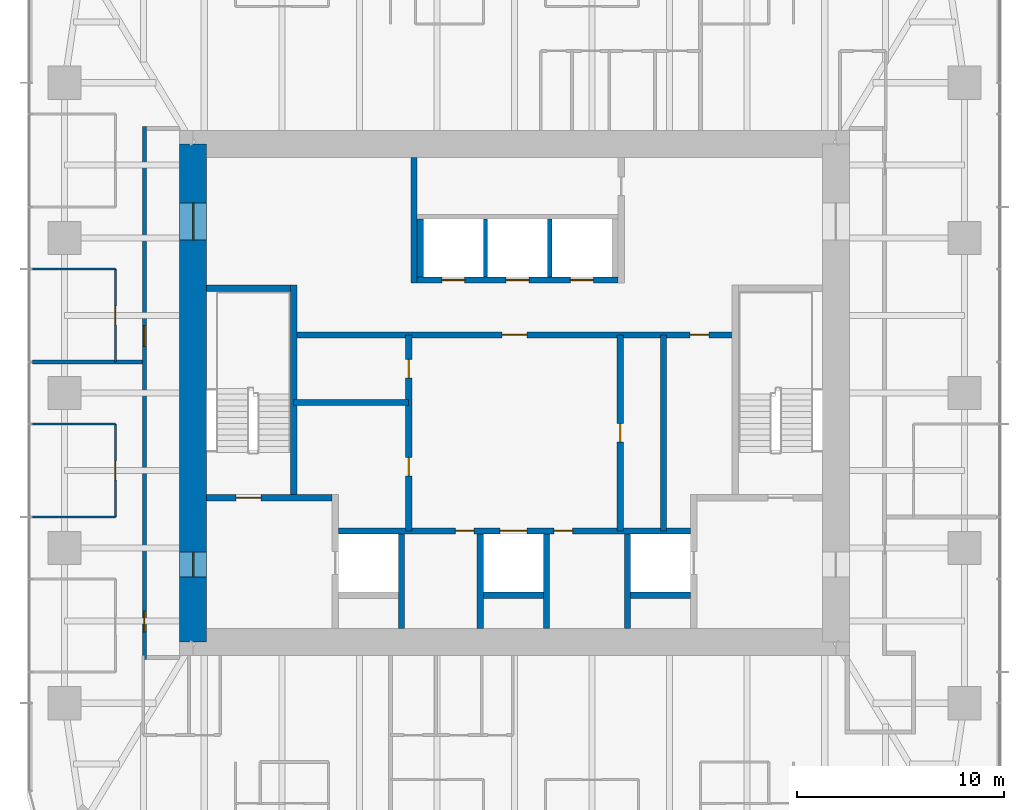
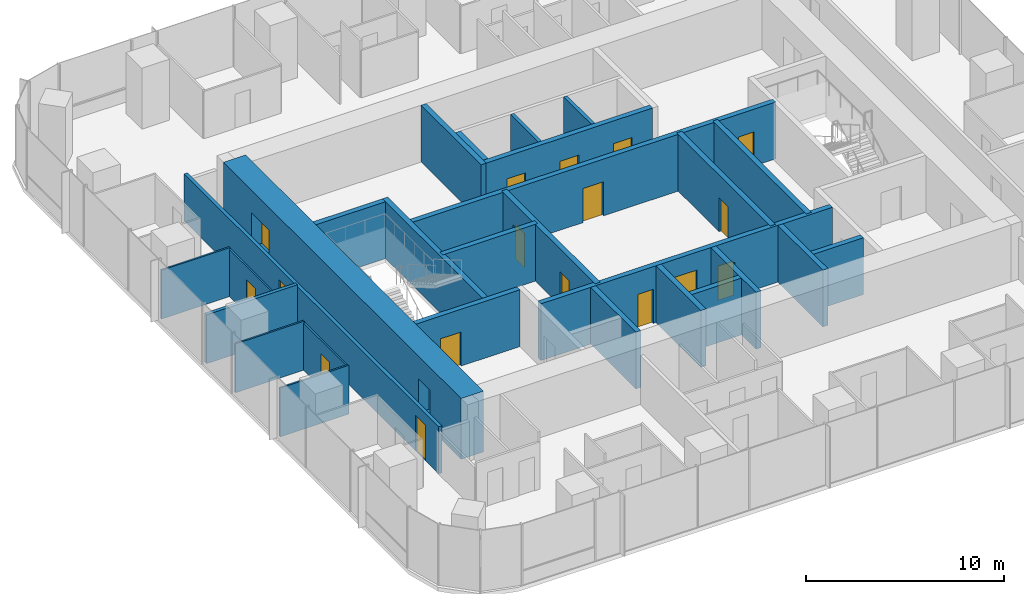
# One storey, part 9 of 12: 28 walls, 18 doors, 18 openings.
"""IFC4 building model written with IfcOpenShell, lengths in metres."""

from ifc_helpers import new_model, si_unit, direction, frame, frame_2d, origin, place, context, subcontext, project, spatial, rectangle, extrude, material, layer, layer_set, type_object, element, fill, save


model = new_model("IFC4")

# Units and contexts
model_context = context("Model", 3, precision=1e-05, world=origin(), true_north=direction((0.0, 1.0)))
body_context = subcontext(model_context, "Body", "Model", "MODEL_VIEW")
ifc_project = project(units=[si_unit("LENGTHUNIT", "METRE"), si_unit("AREAUNIT", "SQUARE_METRE"), si_unit("VOLUMEUNIT", "CUBIC_METRE"), si_unit("PLANEANGLEUNIT", "RADIAN"), si_unit("MASSUNIT", "GRAM", prefix="KILO")], contexts=[model_context])

# Site, building, storey
site_placement = place(None, origin())
site = spatial("IfcSite", under=ifc_project, at=site_placement, CompositionType="ELEMENT")
building_placement = place(site_placement, origin())
building = spatial("IfcBuilding", under=site, at=building_placement, Name="Khuree Lantern Residences", CompositionType="ELEMENT")
storey_placement = place(building_placement, frame((0.0, 0.0, 315.75)))
storey = spatial("IfcBuildingStorey", under=building, at=storey_placement, Name="L79", CompositionType="ELEMENT", Elevation=315.75)

# Wall, openings, doors
ifc_material_1 = material(Name="Dense concrete blockwork", Category="masonry")
ifc_layer_1 = layer(ifc_material_1, 0.300048828125)
ifc_layer_set_1 = layer_set([ifc_layer_1], Name="CORE PARTITION WALL CPW300 EI 120")
wall_type_1 = type_object("IfcWallType", Name="CORE PARTITION WALL CPW300 EI 120", PredefinedType="PARTITIONING", material=ifc_layer_set_1)
wall_1_placement = place(storey_placement, frame((-8.5, -6.64990234375, 0.0), z_axis=(0.0, 0.0, 1.0), x_axis=(1.0, 0.0, 0.0)))
wall_1 = element("IfcWall", 1, at=wall_1_placement, inside=storey, type_object=wall_type_1, Name="L79 CORE WALL FLROW", PredefinedType="PARTITIONING", context=body_context, shape_type="SweptSolid", body=[
    extrude(rectangle(XDim=17.0, YDim=0.300048828125, at=frame_2d((8.5, 0.0))), origin(), (0.0, 0.0, 1.0), 3.5),
])
opening_1_placement = place(wall_1_placement, frame((7.800048828125, 0.0, 0.0)))
opening_1 = element("IfcOpeningElement", 2, at=opening_1_placement, cuts=wall_1, Name="Opening 79-012", PredefinedType="OPENING", context=body_context, shape_type="SweptSolid", body=[
    extrude(rectangle(XDim=1.300048828125, YDim=2.39990234375, at=frame_2d((0.64990234375, 1.199951171875))), frame((0.0, 0.16015625, 0.0), z_axis=(0.0, -1.0, 0.0), x_axis=(1.0, 0.0, 0.0)), (0.0, 0.0, 1.0), 0.320068359375),
])
opening_2_placement = place(wall_1_placement, frame((5.64990234375, 0.0, 0.0)))
opening_2 = element("IfcOpeningElement", 3, at=opening_2_placement, cuts=wall_1, Name="Opening 79-014", PredefinedType="OPENING", context=body_context, shape_type="SweptSolid", body=[
    extrude(rectangle(XDim=0.89990234375, YDim=2.10009765625, at=frame_2d((0.449951171875, 1.050048828125))), frame((0.0, 0.16015625, 0.0), z_axis=(0.0, -1.0, 0.0), x_axis=(1.0, 0.0, 0.0)), (0.0, 0.0, 1.0), 0.320068359375),
])
opening_3_placement = place(wall_1_placement, frame((10.39990234375, 0.0, 0.0)))
opening_3 = element("IfcOpeningElement", 4, at=opening_3_placement, cuts=wall_1, Name="Opening 79-015", PredefinedType="OPENING", context=body_context, shape_type="SweptSolid", body=[
    extrude(rectangle(XDim=0.89990234375, YDim=2.10009765625, at=frame_2d((0.449951171875, 1.050048828125))), frame((0.0, 0.16015625, 0.0), z_axis=(0.0, -1.0, 0.0), x_axis=(1.0, 0.0, 0.0)), (0.0, 0.0, 1.0), 0.320068359375),
])
ifc_material_2 = material(Name="Steel door leaf in steel frame", Category="steel")
door_type_1 = type_object("IfcDoorType", Name="DOOR 900X2100 EI 60", OperationType="SINGLE_SWING_LEFT", PredefinedType="DOOR", material=ifc_material_2)
door_1_placement = place(opening_2_placement, origin())
door_1 = element("IfcDoor", 5, at=door_1_placement, inside=storey, type_object=door_type_1, Name="Refuse chute room door 79-014", OperationType="SINGLE_SWING_LEFT", OverallHeight=2.10009765625, OverallWidth=0.89990234375, PredefinedType="DOOR", context=body_context, shape_type="SweptSolid", body=[
    extrude(rectangle(XDim=0.89990234375, YDim=2.10009765625, at=frame_2d((0.449951171875, 1.050048828125))), frame((0.0, 0.02490234375, 0.0), z_axis=(0.0, -1.0, 0.0), x_axis=(1.0, 0.0, 0.0)), (0.0, 0.0, 1.0), 0.050048828125),
])
fill(opening_2, door_1)
door_type_2 = type_object("IfcDoorType", Name="DOOR 900X2100 EI 60 RIGHT HAND", OperationType="SINGLE_SWING_RIGHT", PredefinedType="DOOR", material=ifc_material_2)
door_2_placement = place(opening_3_placement, origin())
door_2 = element("IfcDoor", 6, at=door_2_placement, inside=storey, type_object=door_type_2, Name="Electrical and plumbing riser door 79-015", OperationType="SINGLE_SWING_RIGHT", OverallHeight=2.10009765625, OverallWidth=0.89990234375, PredefinedType="DOOR", context=body_context, shape_type="SweptSolid", body=[
    extrude(rectangle(XDim=0.89990234375, YDim=2.10009765625, at=frame_2d((0.449951171875, 1.050048828125))), frame((0.0, 0.02490234375, 0.0), z_axis=(0.0, -1.0, 0.0), x_axis=(1.0, 0.0, 0.0)), (0.0, 0.0, 1.0), 0.050048828125),
])
fill(opening_3, door_2)
ifc_material_3 = material(Name="Stainless steel lift landing door", Category="steel")
door_type_3 = type_object("IfcDoorType", Name="LIFT LANDING DOOR 1300X2400 E 60", OperationType="DOUBLE_DOOR_SLIDING", PredefinedType="DOOR", material=ifc_material_3)
door_3_placement = place(opening_1_placement, origin())
door_3 = element("IfcDoor", 7, at=door_3_placement, inside=storey, type_object=door_type_3, Name="Landing door SL1 79-012", OperationType="DOUBLE_DOOR_SLIDING", OverallHeight=2.39990234375, OverallWidth=1.300048828125, PredefinedType="DOOR", context=body_context, shape_type="SweptSolid", body=[
    extrude(rectangle(XDim=1.300048828125, YDim=2.39990234375, at=frame_2d((0.64990234375, 1.199951171875))), frame((0.0, 0.02490234375, 0.0), z_axis=(0.0, -1.0, 0.0), x_axis=(1.0, 0.0, 0.0)), (0.0, 0.0, 1.0), 0.050048828125),
])
fill(opening_1, door_3)

# Walls
for number, where, z_axis, x_axis, name in (
    (8, (-5.449951171875, -11.35009765625, 0.0), (0.0, 0.0, 1.0), (0.0, 1.0, 0.0), "L79 CORE WALL FL1E"),
    (9, (-1.64990234375, -11.35009765625, 0.0), (0.0, 0.0, 1.0), (0.0, 1.0, 0.0), "L79 CORE WALL SL1W"),
    (10, (1.550048828125, -11.35009765625, 0.0), (0.0, 0.0, 1.0), (0.0, 1.0, 0.0), "L79 CORE WALL SL1E"),
    (11, (5.449951171875, -11.35009765625, 0.0), (0.0, 0.0, 1.0), (0.0, 1.0, 0.0), "L79 CORE WALL FL2W"),
):
    element("IfcWall", number, at=place(storey_placement, frame(where, z_axis=z_axis, x_axis=x_axis)), inside=storey, type_object=wall_type_1, Name=name, PredefinedType="PARTITIONING", context=body_context, shape_type="SweptSolid", body=[
        extrude(rectangle(XDim=4.550048828125, YDim=0.300048828125, at=frame_2d((2.27490234375, 0.0))), origin(), (0.0, 0.0, 1.0), 3.5),
    ])
for number, where, z_axis, x_axis, name in (
    (12, (-1.5, -9.75, 0.0), (0.0, 0.0, 1.0), (1.0, 0.0, 0.0), "L79 CORE WALL SL1S"),
    (13, (5.60009765625, -9.75, 0.0), (0.0, 0.0, 1.0), (1.0, 0.0, 0.0), "L79 CORE WALL FL2S"),
):
    element("IfcWall", number, at=place(storey_placement, frame(where, z_axis=z_axis, x_axis=x_axis)), inside=storey, type_object=wall_type_1, Name=name, PredefinedType="PARTITIONING", context=body_context, shape_type="SweptSolid", body=[
        extrude(rectangle(XDim=2.89990234375, YDim=0.300048828125, at=frame_2d((1.449951171875, 0.0))), origin(), (0.0, 0.0, 1.0), 3.5),
    ])

# Wall, openings, doors
wall_2_placement = place(storey_placement, frame((-4.699951171875, 5.449951171875, 0.0), z_axis=(0.0, 0.0, 1.0), x_axis=(1.0, 0.0, 0.0)))
wall_2 = element("IfcWall", 14, at=wall_2_placement, inside=storey, type_object=wall_type_1, Name="L79 CORE WALL PHS", PredefinedType="PARTITIONING", context=body_context, shape_type="SweptSolid", body=[
    extrude(rectangle(XDim=9.699951171875, YDim=0.300048828125, at=frame_2d((4.85009765625, 0.0))), origin(), (0.0, 0.0, 1.0), 3.5),
])
opening_4_placement = place(wall_2_placement, frame((1.199951171875, 0.0, 0.0)))
opening_4 = element("IfcOpeningElement", 15, at=opening_4_placement, cuts=wall_2, Name="Opening 79-009", PredefinedType="OPENING", context=body_context, shape_type="SweptSolid", body=[
    extrude(rectangle(XDim=1.10009765625, YDim=2.10009765625, at=frame_2d((0.550048828125, 1.050048828125))), frame((0.0, 0.16015625, 0.0), z_axis=(0.0, -1.0, 0.0), x_axis=(1.0, 0.0, 0.0)), (0.0, 0.0, 1.0), 0.320068359375),
])
opening_5_placement = place(wall_2_placement, frame((4.300048828125, 0.0, 0.0)))
opening_5 = element("IfcOpeningElement", 16, at=opening_5_placement, cuts=wall_2, Name="Opening 79-010", PredefinedType="OPENING", context=body_context, shape_type="SweptSolid", body=[
    extrude(rectangle(XDim=1.10009765625, YDim=2.10009765625, at=frame_2d((0.550048828125, 1.050048828125))), frame((0.0, 0.16015625, 0.0), z_axis=(0.0, -1.0, 0.0), x_axis=(1.0, 0.0, 0.0)), (0.0, 0.0, 1.0), 0.320068359375),
])
opening_6_placement = place(wall_2_placement, frame((7.39990234375, 0.0, 0.0)))
opening_6 = element("IfcOpeningElement", 17, at=opening_6_placement, cuts=wall_2, Name="Opening 79-011", PredefinedType="OPENING", context=body_context, shape_type="SweptSolid", body=[
    extrude(rectangle(XDim=1.10009765625, YDim=2.10009765625, at=frame_2d((0.550048828125, 1.050048828125))), frame((0.0, 0.16015625, 0.0), z_axis=(0.0, -1.0, 0.0), x_axis=(1.0, 0.0, 0.0)), (0.0, 0.0, 1.0), 0.320068359375),
])
door_type_4 = type_object("IfcDoorType", Name="LIFT LANDING DOOR 1100X2100 E 60", OperationType="DOUBLE_DOOR_SLIDING", PredefinedType="DOOR", material=ifc_material_3)
door_4_placement = place(opening_4_placement, origin())
door_4 = element("IfcDoor", 18, at=door_4_placement, inside=storey, type_object=door_type_4, Name="Landing door PH1 79-009", OperationType="DOUBLE_DOOR_SLIDING", OverallHeight=2.10009765625, OverallWidth=1.10009765625, PredefinedType="DOOR", context=body_context, shape_type="SweptSolid", body=[
    extrude(rectangle(XDim=1.10009765625, YDim=2.10009765625, at=frame_2d((0.550048828125, 1.050048828125))), frame((0.0, 0.02490234375, 0.0), z_axis=(0.0, -1.0, 0.0), x_axis=(1.0, 0.0, 0.0)), (0.0, 0.0, 1.0), 0.050048828125),
])
fill(opening_4, door_4)
door_5_placement = place(opening_5_placement, origin())
door_5 = element("IfcDoor", 19, at=door_5_placement, inside=storey, type_object=door_type_4, Name="Landing door PH2 79-010", OperationType="DOUBLE_DOOR_SLIDING", OverallHeight=2.10009765625, OverallWidth=1.10009765625, PredefinedType="DOOR", context=body_context, shape_type="SweptSolid", body=[
    extrude(rectangle(XDim=1.10009765625, YDim=2.10009765625, at=frame_2d((0.550048828125, 1.050048828125))), frame((0.0, 0.02490234375, 0.0), z_axis=(0.0, -1.0, 0.0), x_axis=(1.0, 0.0, 0.0)), (0.0, 0.0, 1.0), 0.050048828125),
])
fill(opening_5, door_5)
door_6_placement = place(opening_6_placement, origin())
door_6 = element("IfcDoor", 20, at=door_6_placement, inside=storey, type_object=door_type_4, Name="Landing door PH3 79-011", OperationType="DOUBLE_DOOR_SLIDING", OverallHeight=2.10009765625, OverallWidth=1.10009765625, PredefinedType="DOOR", context=body_context, shape_type="SweptSolid", body=[
    extrude(rectangle(XDim=1.10009765625, YDim=2.10009765625, at=frame_2d((0.550048828125, 1.050048828125))), frame((0.0, 0.02490234375, 0.0), z_axis=(0.0, -1.0, 0.0), x_axis=(1.0, 0.0, 0.0)), (0.0, 0.0, 1.0), 0.050048828125),
])
fill(opening_6, door_6)

# Wall
wall_3_placement = place(storey_placement, frame((-4.550048828125, 5.60009765625, 0.0), z_axis=(0.0, 0.0, 1.0), x_axis=(0.0, 1.0, 0.0)))
element("IfcWall", 21, at=wall_3_placement, inside=storey, type_object=wall_type_1, Name="L79 CORE WALL PHW", PredefinedType="PARTITIONING", context=body_context, shape_type="SweptSolid", body=[
    extrude(rectangle(XDim=2.7998046875, YDim=0.300048828125, at=frame_2d((1.39990234375, 0.0))), origin(), (0.0, 0.0, 1.0), 3.5),
])

# Wall, openings, doors
wall_4_placement = place(storey_placement, frame((-10.64990234375, 2.800048828125, 0.0), z_axis=(0.0, 0.0, 1.0), x_axis=(1.0, 0.0, 0.0)))
wall_4 = element("IfcWall", 22, at=wall_4_placement, inside=storey, type_object=wall_type_1, Name="L79 CORE WALL LLS", PredefinedType="PARTITIONING", context=body_context, shape_type="SweptSolid", body=[
    extrude(rectangle(XDim=21.2998046875, YDim=0.300048828125, at=frame_2d((10.64990234375, 0.0))), origin(), (0.0, 0.0, 1.0), 3.5),
])
opening_7_placement = place(wall_4_placement, frame((10.050048828125, 0.0, 0.0)))
opening_7 = element("IfcOpeningElement", 23, at=opening_7_placement, cuts=wall_4, Name="Opening 79-013", PredefinedType="OPENING", context=body_context, shape_type="SweptSolid", body=[
    extrude(rectangle(XDim=1.199951171875, YDim=2.10009765625, at=frame_2d((0.60009765625, 1.050048828125))), frame((0.0, 0.16015625, 0.0), z_axis=(0.0, -1.0, 0.0), x_axis=(1.0, 0.0, 0.0)), (0.0, 0.0, 1.0), 0.320068359375),
])
opening_8_placement = place(wall_4_placement, frame((19.12109375, 0.0, 0.0)))
opening_8 = element("IfcOpeningElement", 24, at=opening_8_placement, cuts=wall_4, Name="Opening 79-019", PredefinedType="OPENING", context=body_context, shape_type="SweptSolid", body=[
    extrude(rectangle(XDim=0.89990234375, YDim=2.10009765625, at=frame_2d((0.449951171875, 1.050048828125))), frame((0.0, 0.16015625, 0.0), z_axis=(0.0, -1.0, 0.0), x_axis=(1.0, 0.0, 0.0)), (0.0, 0.0, 1.0), 0.320068359375),
])
door_type_5 = type_object("IfcDoorType", Name="DOOR 1200X2100 EI 60", OperationType="SINGLE_SWING_LEFT", PredefinedType="DOOR", material=ifc_material_2)
door_7_placement = place(opening_7_placement, origin())
door_7 = element("IfcDoor", 25, at=door_7_placement, inside=storey, type_object=door_type_5, Name="Service lift lobby door 79-013", OperationType="SINGLE_SWING_LEFT", OverallHeight=2.10009765625, OverallWidth=1.199951171875, PredefinedType="DOOR", context=body_context, shape_type="SweptSolid", body=[
    extrude(rectangle(XDim=1.199951171875, YDim=2.10009765625, at=frame_2d((0.60009765625, 1.050048828125))), frame((0.0, 0.02490234375, 0.0), z_axis=(0.0, -1.0, 0.0), x_axis=(1.0, 0.0, 0.0)), (0.0, 0.0, 1.0), 0.050048828125),
])
fill(opening_7, door_7)
ifc_material_4 = material(Name="Timber door leaf in hardwood frame", Category="wood")
door_type_6 = type_object("IfcDoorType", Name="DOOR 900X2100 RIGHT HAND", OperationType="SINGLE_SWING_RIGHT", PredefinedType="DOOR", material=ifc_material_4)
door_8_placement = place(opening_8_placement, origin())
door_8 = element("IfcDoor", 26, at=door_8_placement, inside=storey, type_object=door_type_6, Name="Residents' store door 79-019", OperationType="SINGLE_SWING_RIGHT", OverallHeight=2.10009765625, OverallWidth=0.89990234375, PredefinedType="DOOR", context=body_context, shape_type="SweptSolid", body=[
    extrude(rectangle(XDim=0.89990234375, YDim=2.10009765625, at=frame_2d((0.449951171875, 1.050048828125))), frame((0.0, 0.02490234375, 0.0), z_axis=(0.0, -1.0, 0.0), x_axis=(1.0, 0.0, 0.0)), (0.0, 0.0, 1.0), 0.050048828125),
])
fill(opening_8, door_8)

wall_5_placement = place(storey_placement, frame((-5.10009765625, -6.64990234375, 0.0), z_axis=(0.0, 0.0, 1.0), x_axis=(0.0, 1.0, 0.0)))
wall_5 = element("IfcWall", 27, at=wall_5_placement, inside=storey, type_object=wall_type_1, Name="L79 CORE WALL SVW", PredefinedType="PARTITIONING", context=body_context, shape_type="SweptSolid", body=[
    extrude(rectangle(XDim=9.449951171875, YDim=0.300048828125, at=frame_2d((4.72509765625, 0.0))), origin(), (0.0, 0.0, 1.0), 3.5),
])
opening_9_placement = place(wall_5_placement, frame((2.64794921875, 0.0, 0.0)))
opening_9 = element("IfcOpeningElement", 28, at=opening_9_placement, cuts=wall_5, Name="Opening 79-016", PredefinedType="OPENING", context=body_context, shape_type="SweptSolid", body=[
    extrude(rectangle(XDim=0.89990234375, YDim=2.10009765625, at=frame_2d((0.449951171875, 1.050048828125))), frame((0.0, 0.16015625, 0.0), z_axis=(0.0, -1.0, 0.0), x_axis=(1.0, 0.0, 0.0)), (0.0, 0.0, 1.0), 0.320068359375),
])
opening_10_placement = place(wall_5_placement, frame((7.373046875, 0.0, 0.0)))
opening_10 = element("IfcOpeningElement", 29, at=opening_10_placement, cuts=wall_5, Name="Opening 79-017", PredefinedType="OPENING", context=body_context, shape_type="SweptSolid", body=[
    extrude(rectangle(XDim=0.89990234375, YDim=2.10009765625, at=frame_2d((0.449951171875, 1.050048828125))), frame((0.0, 0.16015625, 0.0), z_axis=(0.0, -1.0, 0.0), x_axis=(1.0, 0.0, 0.0)), (0.0, 0.0, 1.0), 0.320068359375),
])
door_type_7 = type_object("IfcDoorType", Name="DOOR 900X2100", OperationType="SINGLE_SWING_LEFT", PredefinedType="DOOR", material=ifc_material_4)
door_9_placement = place(opening_9_placement, origin())
door_9 = element("IfcDoor", 30, at=door_9_placement, inside=storey, type_object=door_type_7, Name="Residents' store door 79-016", OperationType="SINGLE_SWING_LEFT", OverallHeight=2.10009765625, OverallWidth=0.89990234375, PredefinedType="DOOR", context=body_context, shape_type="SweptSolid", body=[
    extrude(rectangle(XDim=0.89990234375, YDim=2.10009765625, at=frame_2d((0.449951171875, 1.050048828125))), frame((0.0, 0.02490234375, 0.0), z_axis=(0.0, -1.0, 0.0), x_axis=(1.0, 0.0, 0.0)), (0.0, 0.0, 1.0), 0.050048828125),
])
fill(opening_9, door_9)
door_10_placement = place(opening_10_placement, origin())
door_10 = element("IfcDoor", 31, at=door_10_placement, inside=storey, type_object=door_type_7, Name="Parcel room door 79-017", OperationType="SINGLE_SWING_LEFT", OverallHeight=2.10009765625, OverallWidth=0.89990234375, PredefinedType="DOOR", context=body_context, shape_type="SweptSolid", body=[
    extrude(rectangle(XDim=0.89990234375, YDim=2.10009765625, at=frame_2d((0.449951171875, 1.050048828125))), frame((0.0, 0.02490234375, 0.0), z_axis=(0.0, -1.0, 0.0), x_axis=(1.0, 0.0, 0.0)), (0.0, 0.0, 1.0), 0.050048828125),
])
fill(opening_10, door_10)

# Wall, opening, door
wall_6_placement = place(storey_placement, frame((5.10009765625, -6.64990234375, 0.0), z_axis=(0.0, 0.0, 1.0), x_axis=(0.0, 1.0, 0.0)))
wall_6 = element("IfcWall", 32, at=wall_6_placement, inside=storey, type_object=wall_type_1, Name="L79 CORE WALL SVE", PredefinedType="PARTITIONING", context=body_context, shape_type="SweptSolid", body=[
    extrude(rectangle(XDim=9.449951171875, YDim=0.300048828125, at=frame_2d((4.72509765625, 0.0))), origin(), (0.0, 0.0, 1.0), 3.5),
])
opening_11_placement = place(wall_6_placement, frame((4.27490234375, 0.0, 0.0)))
opening_11 = element("IfcOpeningElement", 33, at=opening_11_placement, cuts=wall_6, Name="Opening 79-018", PredefinedType="OPENING", context=body_context, shape_type="SweptSolid", body=[
    extrude(rectangle(XDim=0.89990234375, YDim=2.10009765625, at=frame_2d((0.449951171875, 1.050048828125))), frame((0.0, 0.16015625, 0.0), z_axis=(0.0, -1.0, 0.0), x_axis=(1.0, 0.0, 0.0)), (0.0, 0.0, 1.0), 0.320068359375),
])
door_11_placement = place(opening_11_placement, origin())
door_11 = element("IfcDoor", 34, at=door_11_placement, inside=storey, type_object=door_type_7, Name="Bulky waste store door 79-018", OperationType="SINGLE_SWING_LEFT", OverallHeight=2.10009765625, OverallWidth=0.89990234375, PredefinedType="DOOR", context=body_context, shape_type="SweptSolid", body=[
    extrude(rectangle(XDim=0.89990234375, YDim=2.10009765625, at=frame_2d((0.449951171875, 1.050048828125))), frame((0.0, 0.02490234375, 0.0), z_axis=(0.0, -1.0, 0.0), x_axis=(1.0, 0.0, 0.0)), (0.0, 0.0, 1.0), 0.050048828125),
])
fill(opening_11, door_11)

# Walls
wall_7_placement = place(storey_placement, frame((-10.64990234375, -0.455078125, 0.0), z_axis=(0.0, 0.0, 1.0), x_axis=(1.0, 0.0, 0.0)))
element("IfcWall", 35, at=wall_7_placement, inside=storey, type_object=wall_type_1, Name="L79 CORE WALL WX", PredefinedType="PARTITIONING", context=body_context, shape_type="SweptSolid", body=[
    extrude(rectangle(XDim=5.5498046875, YDim=0.300048828125, at=frame_2d((2.77490234375, 0.0))), origin(), (0.0, 0.0, 1.0), 3.5),
])
wall_8_placement = place(storey_placement, frame((7.193115234375, -6.64990234375, 0.0), z_axis=(0.0, 0.0, 1.0), x_axis=(0.0, 1.0, 0.0)))
element("IfcWall", 36, at=wall_8_placement, inside=storey, type_object=wall_type_1, Name="L79 CORE WALL EV", PredefinedType="PARTITIONING", context=body_context, shape_type="SweptSolid", body=[
    extrude(rectangle(XDim=9.449951171875, YDim=0.300048828125, at=frame_2d((4.72509765625, 0.0))), origin(), (0.0, 0.0, 1.0), 3.5),
])
wall_9_placement = place(storey_placement, frame((-4.85009765625, 5.300048828125, 0.0), z_axis=(0.0, 0.0, 1.0), x_axis=(0.0, 1.0, 0.0)))
element("IfcWall", 37, at=wall_9_placement, inside=storey, type_object=wall_type_1, Name="L79 CORE WALL NW", PredefinedType="PARTITIONING", context=body_context, shape_type="SweptSolid", body=[
    extrude(rectangle(XDim=6.050048828125, YDim=0.300048828125, at=frame_2d((3.02490234375, 0.0))), origin(), (0.0, 0.0, 1.0), 3.5),
])

# Wall, openings, doors
ifc_material_5 = material(Name="Gypsum board on steel studs", Category="steel")
ifc_layer_2 = layer(ifc_material_5, 0.199951171875)
ifc_layer_set_2 = layer_set([ifc_layer_2], Name="CORRIDOR WALL CRW200 EI 60")
wall_type_2 = type_object("IfcWallType", Name="CORRIDOR WALL CRW200 EI 60", PredefinedType="PARTITIONING", material=ifc_layer_set_2)
wall_10_placement = place(storey_placement, frame((-17.85009765625, 12.85009765625, 0.0), z_axis=(0.0, 0.0, 1.0), x_axis=(0.0, -1.0, 0.0)))
wall_10 = element("IfcWall", 38, at=wall_10_placement, inside=storey, type_object=wall_type_2, Name="L79 CORRIDOR WALL WEST 1", PredefinedType="PARTITIONING", context=body_context, shape_type="SweptSolid", body=[
    extrude(rectangle(XDim=25.7001953125, YDim=0.199951171875, at=frame_2d((12.85009765625, 0.0))), origin(), (0.0, 0.0, 1.0), 2.89990234375),
])
opening_12_placement = place(wall_10_placement, frame((9.60009765625, 0.0, 0.0)))
opening_12 = element("IfcOpeningElement", 39, at=opening_12_placement, cuts=wall_10, Name="Opening 79-036", PredefinedType="OPENING", context=body_context, shape_type="SweptSolid", body=[
    extrude(rectangle(XDim=1.0, YDim=2.199951171875, at=frame_2d((0.5, 1.10009765625))), frame((0.0, 0.10986328125, 0.0), z_axis=(0.0, -1.0, 0.0), x_axis=(1.0, 0.0, 0.0)), (0.0, 0.0, 1.0), 0.219970703125),
])
opening_13_placement = place(wall_10_placement, frame((23.3740234375, 0.0, 0.0)))
opening_13 = element("IfcOpeningElement", 40, at=opening_13_placement, cuts=wall_10, Name="Opening 79-043", PredefinedType="OPENING", context=body_context, shape_type="SweptSolid", body=[
    extrude(rectangle(XDim=1.0, YDim=2.199951171875, at=frame_2d((0.5, 1.10009765625))), frame((0.0, 0.10986328125, 0.0), z_axis=(0.0, -1.0, 0.0), x_axis=(1.0, 0.0, 0.0)), (0.0, 0.0, 1.0), 0.219970703125),
])
door_type_8 = type_object("IfcDoorType", Name="APARTMENT ENTRANCE DOOR 1000X2200 EI 30S", OperationType="SINGLE_SWING_LEFT", PredefinedType="DOOR", material=ifc_material_4)
door_12_placement = place(opening_12_placement, origin())
door_12 = element("IfcDoor", 41, at=door_12_placement, inside=storey, type_object=door_type_8, Name="Apartment 02 entrance door 79-036", OperationType="SINGLE_SWING_LEFT", OverallHeight=2.199951171875, OverallWidth=1.0, PredefinedType="DOOR", context=body_context, shape_type="SweptSolid", body=[
    extrude(rectangle(XDim=1.0, YDim=2.199951171875, at=frame_2d((0.5, 1.10009765625))), frame((0.0, 0.02490234375, 0.0), z_axis=(0.0, -1.0, 0.0), x_axis=(1.0, 0.0, 0.0)), (0.0, 0.0, 1.0), 0.050048828125),
])
fill(opening_12, door_12)
door_type_9 = type_object("IfcDoorType", Name="APARTMENT ENTRANCE DOOR 1000X2200 EI 30S RIGHT HAND", OperationType="SINGLE_SWING_RIGHT", PredefinedType="DOOR", material=ifc_material_4)
door_13_placement = place(opening_13_placement, origin())
door_13 = element("IfcDoor", 42, at=door_13_placement, inside=storey, type_object=door_type_9, Name="Apartment 03 entrance door 79-043", OperationType="SINGLE_SWING_RIGHT", OverallHeight=2.199951171875, OverallWidth=1.0, PredefinedType="DOOR", context=body_context, shape_type="SweptSolid", body=[
    extrude(rectangle(XDim=1.0, YDim=2.199951171875, at=frame_2d((0.5, 1.10009765625))), frame((0.0, 0.02490234375, 0.0), z_axis=(0.0, -1.0, 0.0), x_axis=(1.0, 0.0, 0.0)), (0.0, 0.0, 1.0), 0.050048828125),
])
fill(opening_13, door_13)

ifc_material_6 = material(Name="Concrete C50/60", Category="concrete")
ifc_layer_3 = layer(ifc_material_6, 1.300048828125)
ifc_layer_set_3 = layer_set([ifc_layer_3], Name="CW1300-C50 CORE WALL C50 1300")
wall_type_3 = type_object("IfcWallType", Name="CW1300-C50 CORE WALL C50 1300", PredefinedType="SHEAR", material=ifc_layer_set_3)
wall_11_placement = place(storey_placement, frame((-15.5, -12.0, -0.25), z_axis=(0.0, 0.0, 1.0), x_axis=(0.0, 1.0, 0.0)))
wall_11 = element("IfcWall", 43, at=wall_11_placement, inside=storey, type_object=wall_type_3, Name="Core wall W", PredefinedType="SHEAR", context=body_context, shape_type="SweptSolid", body=[
    extrude(rectangle(XDim=24.0, YDim=1.300048828125, at=frame_2d((12.0, 0.0))), origin(), (0.0, 0.0, 1.0), 3.75),
])
opening_14_placement = place(wall_11_placement, frame((3.125, 0.0, 0.25)))
opening_14 = element("IfcOpeningElement", 44, at=opening_14_placement, cuts=wall_11, Name="Opening 79-002", PredefinedType="OPENING", context=body_context, shape_type="SweptSolid", body=[
    extrude(rectangle(XDim=1.199951171875, YDim=2.10009765625, at=frame_2d((0.60009765625, 1.050048828125))), frame((0.0, 0.66015625, 0.0), z_axis=(0.0, -1.0, 0.0), x_axis=(1.0, 0.0, 0.0)), (0.0, 0.0, 1.0), 1.320068359375),
])
opening_15_placement = place(wall_11_placement, frame((19.375, 0.0, 0.25)))
opening_15 = element("IfcOpeningElement", 45, at=opening_15_placement, cuts=wall_11, Name="Opening 79-003", PredefinedType="OPENING", context=body_context, shape_type="SweptSolid", body=[
    extrude(rectangle(XDim=1.800048828125, YDim=2.10009765625, at=frame_2d((0.89990234375, 1.050048828125))), frame((0.0, 0.66015625, 0.0), z_axis=(0.0, -1.0, 0.0), x_axis=(1.0, 0.0, 0.0)), (0.0, 0.0, 1.0), 1.320068359375),
])
door_type_10 = type_object("IfcDoorType", Name="LOBBY DOOR 1200X2100 EI 120", OperationType="SINGLE_SWING_LEFT", PredefinedType="DOOR", material=ifc_material_2)
door_14_placement = place(opening_14_placement, origin())
door_14 = element("IfcDoor", 46, at=door_14_placement, inside=storey, type_object=door_type_10, Name="Firefighting lobby door 79-002", OperationType="SINGLE_SWING_LEFT", OverallHeight=2.10009765625, OverallWidth=1.199951171875, PredefinedType="DOOR", context=body_context, shape_type="SweptSolid", body=[
    extrude(rectangle(XDim=1.199951171875, YDim=2.10009765625, at=frame_2d((0.60009765625, 1.050048828125))), frame((0.0, 0.02490234375, 0.0), z_axis=(0.0, -1.0, 0.0), x_axis=(1.0, 0.0, 0.0)), (0.0, 0.0, 1.0), 0.050048828125),
])
fill(opening_14, door_14)
door_type_11 = type_object("IfcDoorType", Name="LOBBY DOUBLE DOOR 1800X2100 EI 60", OperationType="DOUBLE_DOOR_SINGLE_SWING", PredefinedType="DOOR", material=ifc_material_2)
door_15_placement = place(opening_15_placement, origin())
door_15 = element("IfcDoor", 47, at=door_15_placement, inside=storey, type_object=door_type_11, Name="Lift lobby door 79-003", OperationType="DOUBLE_DOOR_SINGLE_SWING", OverallHeight=2.10009765625, OverallWidth=1.800048828125, PredefinedType="DOOR", context=body_context, shape_type="SweptSolid", body=[
    extrude(rectangle(XDim=1.800048828125, YDim=2.10009765625, at=frame_2d((0.89990234375, 1.050048828125))), frame((0.0, 0.02490234375, 0.0), z_axis=(0.0, -1.0, 0.0), x_axis=(1.0, 0.0, 0.0)), (0.0, 0.0, 1.0), 0.050048828125),
])
fill(opening_15, door_15)

# Walls
ifc_layer_4 = layer(ifc_material_5, 0.199951171875)
ifc_layer_set_4 = layer_set([ifc_layer_4], Name="DEMISING WALL DMW200 EI 90")
wall_type_4 = type_object("IfcWallType", Name="DEMISING WALL DMW200 EI 90", PredefinedType="PARTITIONING", material=ifc_layer_set_4)
wall_12_placement = place(storey_placement, frame((-17.949951171875, 1.49609375, 0.0), z_axis=(0.0, 0.0, 1.0), x_axis=(-1.0, 0.0, 0.0)))
element("IfcWall", 48, at=wall_12_placement, inside=storey, type_object=wall_type_4, Name="L79 DEMISING WALL 03", PredefinedType="PARTITIONING", context=body_context, shape_type="SweptSolid", body=[
    extrude(rectangle(XDim=5.300048828125, YDim=0.199951171875, at=frame_2d((2.64990234375, 0.0))), origin(), (0.0, 0.0, 1.0), 3.010009765625),
])
ifc_layer_5 = layer(ifc_material_5, 0.10009765625)
ifc_layer_set_5 = layer_set([ifc_layer_5], Name="PARTITION PT100")
wall_type_5 = type_object("IfcWallType", Name="PARTITION PT100", PredefinedType="PARTITIONING", material=ifc_layer_set_5)
for number, where, z_axis, x_axis, name in (
    (49, (-19.25, 5.98388671875, 0.0), (0.0, 0.0, 1.0), (-1.0, 0.0, 0.0), "L79 PARTITION 02"),
    (50, (-19.25, -1.49609375, 0.0), (0.0, 0.0, 1.0), (-1.0, 0.0, 0.0), "L79 PARTITION 03"),
    (51, (-19.25, -5.98388671875, 0.0), (0.0, 0.0, 1.0), (-1.0, 0.0, 0.0), "L79 PARTITION 03"),
):
    element("IfcWall", number, at=place(storey_placement, frame(where, z_axis=z_axis, x_axis=x_axis)), inside=storey, type_object=wall_type_5, Name=name, PredefinedType="PARTITIONING", context=body_context, shape_type="SweptSolid", body=[
        extrude(rectangle(XDim=4.0, YDim=0.10009765625, at=frame_2d((2.0, 0.0))), origin(), (0.0, 0.0, 1.0), 3.010009765625),
    ])

# Wall, opening, door
wall_13_placement = place(storey_placement, frame((-19.25, 5.98388671875, 0.0), z_axis=(0.0, 0.0, 1.0), x_axis=(0.0, -1.0, 0.0)))
wall_13 = element("IfcWall", 52, at=wall_13_placement, inside=storey, type_object=wall_type_5, Name="L79 PARTITION 02", PredefinedType="PARTITIONING", context=body_context, shape_type="SweptSolid", body=[
    extrude(rectangle(XDim=4.48779296875, YDim=0.10009765625, at=frame_2d((2.243896484375, 0.0))), origin(), (0.0, 0.0, 1.0), 2.909912109375),
])
opening_16_placement = place(wall_13_placement, frame((1.7939453125, 0.0, 0.0)))
opening_16 = element("IfcOpeningElement", 53, at=opening_16_placement, cuts=wall_13, Name="Opening 79-031", PredefinedType="OPENING", context=body_context, shape_type="SweptSolid", body=[
    extrude(rectangle(XDim=0.89990234375, YDim=2.10009765625, at=frame_2d((0.449951171875, 1.050048828125))), frame((0.0, 0.06005859375, 0.0), z_axis=(0.0, -1.0, 0.0), x_axis=(1.0, 0.0, 0.0)), (0.0, 0.0, 1.0), 0.1201171875),
])
door_type_12 = type_object("IfcDoorType", Name="BEDROOM DOOR 900X2100 RIGHT HAND", OperationType="SINGLE_SWING_RIGHT", PredefinedType="DOOR", material=ifc_material_4)
door_16_placement = place(opening_16_placement, origin())
door_16 = element("IfcDoor", 54, at=door_16_placement, inside=storey, type_object=door_type_12, Name="Bedroom door 79-031", OperationType="SINGLE_SWING_RIGHT", OverallHeight=2.10009765625, OverallWidth=0.89990234375, PredefinedType="DOOR", context=body_context, shape_type="SweptSolid", body=[
    extrude(rectangle(XDim=0.89990234375, YDim=2.10009765625, at=frame_2d((0.449951171875, 1.050048828125))), frame((0.0, 0.02490234375, 0.0), z_axis=(0.0, -1.0, 0.0), x_axis=(1.0, 0.0, 0.0)), (0.0, 0.0, 1.0), 0.050048828125),
])
fill(opening_16, door_16)

wall_14_placement = place(storey_placement, frame((-19.25, -1.49609375, 0.0), z_axis=(0.0, 0.0, 1.0), x_axis=(0.0, -1.0, 0.0)))
wall_14 = element("IfcWall", 55, at=wall_14_placement, inside=storey, type_object=wall_type_5, Name="L79 PARTITION 03", PredefinedType="PARTITIONING", context=body_context, shape_type="SweptSolid", body=[
    extrude(rectangle(XDim=4.48779296875, YDim=0.10009765625, at=frame_2d((2.243896484375, 0.0))), origin(), (0.0, 0.0, 1.0), 2.909912109375),
])
opening_17_placement = place(wall_14_placement, frame((1.7939453125, 0.0, 0.0)))
opening_17 = element("IfcOpeningElement", 56, at=opening_17_placement, cuts=wall_14, Name="Opening 79-037", PredefinedType="OPENING", context=body_context, shape_type="SweptSolid", body=[
    extrude(rectangle(XDim=0.89990234375, YDim=2.10009765625, at=frame_2d((0.449951171875, 1.050048828125))), frame((0.0, 0.06005859375, 0.0), z_axis=(0.0, -1.0, 0.0), x_axis=(1.0, 0.0, 0.0)), (0.0, 0.0, 1.0), 0.1201171875),
])
door_type_13 = type_object("IfcDoorType", Name="BEDROOM DOOR 900X2100", OperationType="SINGLE_SWING_LEFT", PredefinedType="DOOR", material=ifc_material_4)
door_17_placement = place(opening_17_placement, origin())
door_17 = element("IfcDoor", 57, at=door_17_placement, inside=storey, type_object=door_type_13, Name="Bedroom door 79-037", OperationType="SINGLE_SWING_LEFT", OverallHeight=2.10009765625, OverallWidth=0.89990234375, PredefinedType="DOOR", context=body_context, shape_type="SweptSolid", body=[
    extrude(rectangle(XDim=0.89990234375, YDim=2.10009765625, at=frame_2d((0.449951171875, 1.050048828125))), frame((0.0, 0.02490234375, 0.0), z_axis=(0.0, -1.0, 0.0), x_axis=(1.0, 0.0, 0.0)), (0.0, 0.0, 1.0), 0.050048828125),
])
fill(opening_17, door_17)

# Walls
ifc_layer_6 = layer(ifc_material_1, 0.199951171875)
ifc_layer_set_6 = layer_set([ifc_layer_6], Name="SHAFT WALL SHW200 EI 120")
wall_type_6 = type_object("IfcWallType", Name="SHAFT WALL SHW200 EI 120", PredefinedType="PARTITIONING", material=ifc_layer_set_6)
for number, where, z_axis, x_axis, name in (
    (58, (-1.39990234375, 5.60009765625, 0.0), (0.0, 0.0, 1.0), (0.0, 1.0, 0.0), "L79 CORE WALL PHD1"),
    (59, (1.699951171875, 5.60009765625, 0.0), (0.0, 0.0, 1.0), (0.0, 1.0, 0.0), "L79 CORE WALL PHD2"),
):
    element("IfcWall", number, at=place(storey_placement, frame(where, z_axis=z_axis, x_axis=x_axis)), inside=storey, type_object=wall_type_6, Name=name, PredefinedType="PARTITIONING", context=body_context, shape_type="SweptSolid", body=[
        extrude(rectangle(XDim=2.7998046875, YDim=0.199951171875, at=frame_2d((1.39990234375, 0.0))), origin(), (0.0, 0.0, 1.0), 3.5),
    ])
ifc_layer_7 = layer(ifc_material_6, 0.300048828125)
ifc_layer_set_7 = layer_set([ifc_layer_7], Name="STAIR WALL SRW300 C50/60 REI 240")
wall_type_7 = type_object("IfcWallType", Name="STAIR WALL SRW300 C50/60 REI 240", PredefinedType="SOLIDWALL", material=ifc_layer_set_7)
wall_15_placement = place(storey_placement, frame((-10.64990234375, -4.89990234375, 0.0), z_axis=(0.0, 0.0, 1.0), x_axis=(0.0, 1.0, 0.0)))
element("IfcWall", 60, at=wall_15_placement, inside=storey, type_object=wall_type_7, Name="L79 STAIR WALL ST1E", PredefinedType="SOLIDWALL", context=body_context, shape_type="SweptSolid", body=[
    extrude(rectangle(XDim=10.099853515625, YDim=0.300048828125, at=frame_2d((5.0498046875, 0.0))), origin(), (0.0, 0.0, 1.0), 3.5),
])

# Wall, opening, door
wall_16_placement = place(storey_placement, frame((-14.85009765625, -5.050048828125, 0.0), z_axis=(0.0, 0.0, 1.0), x_axis=(1.0, 0.0, 0.0)))
wall_16 = element("IfcWall", 61, at=wall_16_placement, inside=storey, type_object=wall_type_7, Name="L79 STAIR WALL ST1S", PredefinedType="SOLIDWALL", context=body_context, shape_type="SweptSolid", body=[
    extrude(rectangle(XDim=6.050048828125, YDim=0.300048828125, at=frame_2d((3.02490234375, 0.0))), origin(), (0.0, 0.0, 1.0), 3.5),
])
opening_18_placement = place(wall_16_placement, frame((1.425048828125, 0.0, 0.0)))
opening_18 = element("IfcOpeningElement", 62, at=opening_18_placement, cuts=wall_16, Name="Opening 79-001", PredefinedType="OPENING", context=body_context, shape_type="SweptSolid", body=[
    extrude(rectangle(XDim=1.199951171875, YDim=2.10009765625, at=frame_2d((0.60009765625, 1.050048828125))), frame((0.0, 0.16015625, 0.0), z_axis=(0.0, -1.0, 0.0), x_axis=(1.0, 0.0, 0.0)), (0.0, 0.0, 1.0), 0.320068359375),
])
door_type_14 = type_object("IfcDoorType", Name="STAIR DOOR 1200X2100 EI 120", OperationType="SINGLE_SWING_LEFT", PredefinedType="DOOR", material=ifc_material_2)
door_18_placement = place(opening_18_placement, origin())
door_18 = element("IfcDoor", 63, at=door_18_placement, inside=storey, type_object=door_type_14, Name="Stair ST1 door 79-001", OperationType="SINGLE_SWING_LEFT", OverallHeight=2.10009765625, OverallWidth=1.199951171875, PredefinedType="DOOR", context=body_context, shape_type="SweptSolid", body=[
    extrude(rectangle(XDim=1.199951171875, YDim=2.10009765625, at=frame_2d((0.60009765625, 1.050048828125))), frame((0.0, 0.02490234375, 0.0), z_axis=(0.0, -1.0, 0.0), x_axis=(1.0, 0.0, 0.0)), (0.0, 0.0, 1.0), 0.050048828125),
])
fill(opening_18, door_18)

# Wall
wall_17_placement = place(storey_placement, frame((-14.85009765625, 5.050048828125, 0.0), z_axis=(0.0, 0.0, 1.0), x_axis=(1.0, 0.0, 0.0)))
element("IfcWall", 64, at=wall_17_placement, inside=storey, type_object=wall_type_7, Name="L79 STAIR WALL ST1N", PredefinedType="SOLIDWALL", context=body_context, shape_type="SweptSolid", body=[
    extrude(rectangle(XDim=4.050048828125, YDim=0.300048828125, at=frame_2d((2.02490234375, 0.0))), origin(), (0.0, 0.0, 1.0), 3.5),
])

save(model, "model.ifc")
